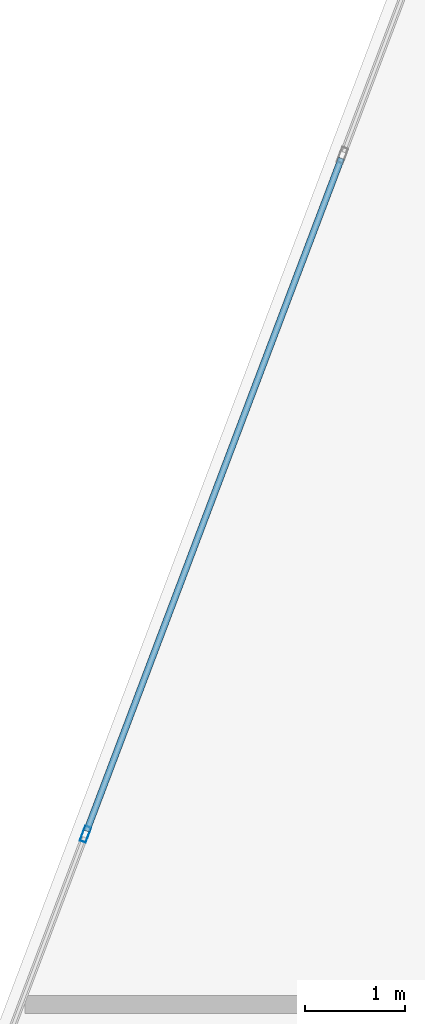
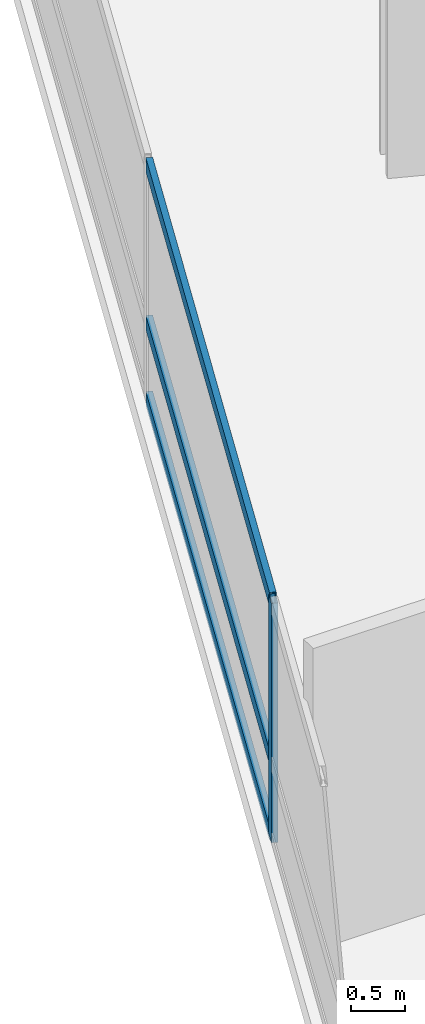
# One storey, part 4 of 24: 4 members, 1 element without a shape of its own.
"""IFC4 building model written with IfcOpenShell, lengths in metres."""

import ifcopenshell
import ifcopenshell.guid

model = None  # the IFC model being written
_history = None  # IfcOwnerHistory: only IFC2X3 demands one
_inside = {}  # id of a spatial element -> (the spatial element, [elements in it])
_under = {}  # id of a project, library or spatial element -> (it, [spatial elements below it])
_declared = {}  # id of a project -> (the project, [libraries it declares])
_typed = {}  # id of a type object -> (the type object, [elements of that type])
_made_of = {}  # id of a material, layer set ... -> (it, [elements and type objects made of it])


def new_model(schema):
    """Start an empty IFC model of exactly this schema.

    Asked for "IFC4X3", IfcOpenShell would pick the latest addendum, in which some entities
    have other attributes; the version numbers below select the first issue.
    IFC2X3 requires an IfcOwnerHistory on every rooted entity: one is made here for all.
    """
    global model, _history
    if schema == "IFC4X3":
        model = ifcopenshell.file(schema_version=(4, 3, 0, 0))
    else:
        model = ifcopenshell.file(schema=schema)
    _inside.clear()
    _under.clear()
    _declared.clear()
    _typed.clear()
    _made_of.clear()
    _history = None
    if model.schema == "IFC2X3":
        org = make("IfcOrganization", Name="unknown")
        user = make(
            "IfcPersonAndOrganization",
            ThePerson=make("IfcPerson", FamilyName="unknown"),
            TheOrganization=org,
        )
        app = make(
            "IfcApplication",
            ApplicationDeveloper=org,
            Version="unknown",
            ApplicationFullName="unknown",
            ApplicationIdentifier="unknown",
        )
        _history = make(
            "IfcOwnerHistory",
            OwningUser=user,
            OwningApplication=app,
            ChangeAction="ADDED",
            CreationDate=0,
        )
    return model


def make(cls, **values):
    """One entity of the class cls with the attributes given. An attribute that is None is left unset."""
    return model.create_entity(
        cls, **{name: value for name, value in values.items() if value is not None}
    )


def rooted(cls, **values):
    """An entity with a GlobalId (a new one), such as an element, a storey or a relation."""
    return make(cls, GlobalId=ifcopenshell.guid.new(), OwnerHistory=_history, **values)


def si_unit(unit_type, name, prefix=None):
    """IfcSIUnit, for example si_unit("LENGTHUNIT", "METRE", prefix="MILLI")."""
    return make("IfcSIUnit", UnitType=unit_type, Prefix=prefix, Name=name)


def assignment(units):
    """IfcUnitAssignment: the units of a project."""
    return None if units is None else make("IfcUnitAssignment", Units=units)


def point(xyz):
    """IfcCartesianPoint."""
    return None if xyz is None else make("IfcCartesianPoint", Coordinates=xyz)


def direction(xyz):
    """IfcDirection."""
    return None if xyz is None else make("IfcDirection", DirectionRatios=xyz)


def frame(location, z_axis=None, x_axis=None):
    """IfcAxis2Placement3D, a coordinate frame: its origin and axes. An axis left out is left unset."""
    return make(
        "IfcAxis2Placement3D",
        Location=point(location),
        Axis=direction(z_axis),
        RefDirection=direction(x_axis),
    )


def frame_2d(location, x_axis=None):
    """IfcAxis2Placement2D, a coordinate frame in the plane: its origin and x axis."""
    return make(
        "IfcAxis2Placement2D", Location=point(location), RefDirection=direction(x_axis)
    )


def origin():
    """The frame at (0, 0, 0) with its axes left unset."""
    return frame((0.0, 0.0, 0.0))


def origin_2d():
    """The frame at (0, 0) in the plane with its x axis left unset."""
    return frame_2d((0.0, 0.0))


def place(relative_to, where):
    """IfcLocalPlacement: puts the frame where relative to a parent placement (None: the world)."""
    return make(
        "IfcLocalPlacement", PlacementRelTo=relative_to, RelativePlacement=where
    )


def context(
    kind, dimensions, precision=None, world=None, true_north=None, identifier=None
):
    """IfcGeometricRepresentationContext, for example the 3D "Model" context."""
    return make(
        "IfcGeometricRepresentationContext",
        ContextIdentifier=identifier,
        ContextType=kind,
        CoordinateSpaceDimension=dimensions,
        Precision=precision,
        WorldCoordinateSystem=world,
        TrueNorth=true_north,
    )


def subcontext(parent, identifier, kind, view, scale=None):
    """IfcGeometricRepresentationSubContext, for example "Body" below "Model"."""
    return make(
        "IfcGeometricRepresentationSubContext",
        ContextIdentifier=identifier,
        ContextType=kind,
        ParentContext=parent,
        TargetScale=scale,
        TargetView=view,
    )


def project(units=None, contexts=None):
    """IfcProject with its units and contexts."""
    return rooted(
        "IfcProject",
        Name="project",
        RepresentationContexts=contexts,
        UnitsInContext=assignment(units),
    )


def spatial(cls, under=None, at=None, **own):
    """A site, building, storey or space (cls), placed at a placement, below another one or the project."""
    s = rooted(cls, ObjectPlacement=at, **own)
    if under is not None:
        _under.setdefault(under.id(), (under, []))[1].append(s)
    return s


def profile(cls, at=None, kind="AREA", **sizes):
    """A parametric profile (cls). Its sizes go by their IFC names, for example OverallWidth=200.0."""
    return make(cls, ProfileType=kind, Position=at, **sizes)


def hollow_rectangle(**sizes):
    """IfcRectangleHollowProfileDef."""
    return profile("IfcRectangleHollowProfileDef", **sizes)


def extrude(swept, where, along, depth):
    """IfcExtrudedAreaSolid: the profile swept, set in the frame where, extruded along a direction by depth."""
    return make(
        "IfcExtrudedAreaSolid",
        SweptArea=swept,
        Position=where,
        ExtrudedDirection=direction(along),
        Depth=depth,
    )


def shape(context_of_items, identifier, shape_type, items):
    """IfcShapeRepresentation: the items that make up one representation, for example the "Body"."""
    return make(
        "IfcShapeRepresentation",
        ContextOfItems=context_of_items,
        RepresentationIdentifier=identifier,
        RepresentationType=shape_type,
        Items=items,
    )


def material(Name=None, Category=None):
    """IfcMaterial."""
    return make("IfcMaterial", Name=Name, Category=Category)


def layer(
    of_material, thickness, ventilated=None, Name=None, Category=None, Priority=None
):
    """IfcMaterialLayer: one layer of a wall or slab, of a material (None: an air gap)."""
    return make(
        "IfcMaterialLayer",
        Material=of_material,
        LayerThickness=thickness,
        IsVentilated=ventilated,
        Name=Name,
        Category=Category,
        Priority=Priority,
    )


def layer_set(layers, Name=None):
    """IfcMaterialLayerSet."""
    return make("IfcMaterialLayerSet", MaterialLayers=layers, LayerSetName=Name)


def material_profile(
    of_material, cross_section, Name=None, Category=None, Priority=None
):
    """IfcMaterialProfile: a cross section and its material."""
    return make(
        "IfcMaterialProfile",
        Name=Name,
        Material=of_material,
        Profile=cross_section,
        Priority=Priority,
        Category=Category,
    )


def profile_set(profiles, Name=None, composite=None):
    """IfcMaterialProfileSet."""
    return make(
        "IfcMaterialProfileSet",
        Name=Name,
        MaterialProfiles=profiles,
        CompositeProfile=composite,
    )


def made_of(thing, what):
    """Note that an element or type object is made of a material, layer set ...; save() writes the relation."""
    if what is not None:
        _made_of.setdefault(what.id(), (what, []))[1].append(thing)
    return thing


def type_object(cls, material=None, **own):
    """A type object (cls), such as IfcWallType, which elements share."""
    return made_of(rooted(cls, **own), material)


def element(
    cls,
    number,
    at=None,
    inside=None,
    cuts=None,
    type_object=None,
    material=None,
    context=None,
    identifier="Body",
    shape_type=None,
    held_by="IfcProductDefinitionShape",
    body=None,
    shapes=None,
    **own,
):
    """One element of the class cls, such as IfcWall. Its Tag is "e" and its number.

    at: its placement. inside: the storey or other place that contains it. cuts: it is an
    opening in that element (IfcRelVoidsElement). A single representation is given by context,
    identifier, shape_type and body (its items); several are given by shapes. held_by: the class
    of the entity that holds the representations. save() writes the other relations.
    """
    e = rooted(cls, Tag="e%d" % number, ObjectPlacement=at, **own)
    if body is not None:
        shapes = [shape(context, identifier, shape_type, body)]
    if shapes is not None:
        e.Representation = make(held_by, Representations=shapes)
    if inside is not None:
        _inside.setdefault(inside.id(), (inside, []))[1].append(e)
    if cuts is not None:
        rooted(
            "IfcRelVoidsElement", RelatingBuildingElement=cuts, RelatedOpeningElement=e
        )
    if type_object is not None:
        _typed.setdefault(type_object.id(), (type_object, []))[1].append(e)
    return made_of(e, material)


def aggregate(whole, parts):
    """IfcRelAggregates: a whole, such as a stair, and the parts it consists of."""
    return rooted("IfcRelAggregates", RelatingObject=whole, RelatedObjects=parts)


def save(model, path):
    """Write the relations noted so far, then the file.

    IfcRelAggregates (storeys below a building ...), IfcRelContainedInSpatialStructure (elements
    in a storey), IfcRelDefinesByType, IfcRelAssociatesMaterial and IfcRelDeclares: one each for
    every whole, place, type object, material and project.
    """
    for whole, parts in _under.values():
        aggregate(whole, parts)
    for where, things in _inside.values():
        rooted(
            "IfcRelContainedInSpatialStructure",
            RelatedElements=things,
            RelatingStructure=where,
        )
    for kind, things in _typed.values():
        rooted("IfcRelDefinesByType", RelatedObjects=things, RelatingType=kind)
    for what, things in _made_of.values():
        rooted("IfcRelAssociatesMaterial", RelatedObjects=things, RelatingMaterial=what)
    for by, libraries in _declared.values():
        rooted("IfcRelDeclares", RelatingContext=by, RelatedDefinitions=libraries)
    model.write(path)


model = new_model("IFC4")

# Units and contexts
model_context = context("Model", 3, precision=1e-05, world=origin(), true_north=direction((0.0, 1.0)))
body_context = subcontext(model_context, "Body", "Model", "MODEL_VIEW")
ifc_project = project(units=[si_unit("LENGTHUNIT", "METRE"), si_unit("AREAUNIT", "SQUARE_METRE"), si_unit("VOLUMEUNIT", "CUBIC_METRE"), si_unit("PLANEANGLEUNIT", "RADIAN"), si_unit("MASSUNIT", "GRAM", prefix="KILO")], contexts=[model_context])

# Site, building, storey
site_placement = place(None, origin())
site = spatial("IfcSite", under=ifc_project, at=site_placement, CompositionType="ELEMENT")
building_placement = place(site_placement, origin())
building = spatial("IfcBuilding", under=site, at=building_placement, Name="Varnelok Gate Tower", CompositionType="ELEMENT")
storey_placement = place(building_placement, frame((0.0, 0.0, 87.300048828125)))
storey = spatial("IfcBuildingStorey", under=building, at=storey_placement, Name="L21", CompositionType="ELEMENT", Elevation=87.300048828125)

# Curtain wall, members
ifc_material = material(Name="Anodized Aluminum Alloy 6063-T6", Category="aluminium")
ifc_layer = layer(ifc_material, 0.179931640625)
ifc_layer_set = layer_set([ifc_layer], Name="Anodized Aluminum Alloy 6063-T6")
curtain_wall_type = type_object("IfcCurtainWallType", Name="CW3-HOTEL-VISION", PredefinedType="USERDEFINED", material=ifc_layer_set)
curtain_wall_placement = place(storey_placement, origin())
curtain_wall = element("IfcCurtainWall", 1, at=curtain_wall_placement, inside=storey, type_object=curtain_wall_type, Name="L21 West End Vision Curtain Wall", ObjectType="UNITISED CURTAIN WALL", PredefinedType="USERDEFINED")
ifc_material_profile_1 = material_profile(ifc_material, hollow_rectangle(XDim=0.06494140625, YDim=0.159912109375, WallThickness=0.00390625, at=origin_2d()), Name="ALU160X65X4")
ifc_profile_set_1 = profile_set([ifc_material_profile_1], Name="Anodized Aluminum Alloy 6063-T6")
member_type_1 = type_object("IfcMemberType", Name="CW-MULL-160", PredefinedType="MULLION", material=ifc_profile_set_1)
member_1_placement = place(storey_placement, frame((0.508544921875, 28.3359375, 0.0), z_axis=(0.0, 0.0, 1.0), x_axis=(-0.935221323688, 0.354063660545, 0.0)))
member_1 = element("IfcMember", 2, at=member_1_placement, type_object=member_type_1, Name="CW3 mullion 2", PredefinedType="MULLION", context=body_context, shape_type="SweptSolid", body=[
    extrude(hollow_rectangle(XDim=0.06494140625, YDim=0.159912109375, WallThickness=0.00390625, at=origin_2d()), origin(), (0.0, 0.0, 1.0), 2.72998046875),
])
ifc_material_profile_2 = material_profile(ifc_material, hollow_rectangle(XDim=0.06494140625, YDim=0.159912109375, WallThickness=0.00390625, at=origin_2d()), Name="ALU160X65X4")
ifc_profile_set_2 = profile_set([ifc_material_profile_2], Name="Anodized Aluminum Alloy 6063-T6")
member_type_2 = type_object("IfcMemberType", Name="CW-TRAN-160", PredefinedType="USERDEFINED", material=ifc_profile_set_2)
member_2_placement = place(storey_placement, frame((0.52001953125, 28.3662109375, 0.032470703125), z_axis=(0.354078724634, 0.935215620465, 0.0), x_axis=(-0.935215620465, 0.354078724634, 0.0)))
member_2 = element("IfcMember", 3, at=member_2_placement, type_object=member_type_2, Name="CW3 transom 2.1", ObjectType="TRANSOM", PredefinedType="USERDEFINED", context=body_context, shape_type="SweptSolid", body=[
    extrude(hollow_rectangle(XDim=0.06494140625, YDim=0.159912109375, WallThickness=0.00390625, at=origin_2d()), origin(), (0.0, 0.0, 1.0), 7.175048828125),
])
member_3_placement = place(storey_placement, frame((0.52001953125, 28.3662109375, 0.89990234375), z_axis=(0.354078724634, 0.935215620465, 0.0), x_axis=(-0.935215620465, 0.354078724634, 0.0)))
member_3 = element("IfcMember", 4, at=member_3_placement, type_object=member_type_2, Name="CW3 transom 2.2", ObjectType="TRANSOM", PredefinedType="USERDEFINED", context=body_context, shape_type="SweptSolid", body=[
    extrude(hollow_rectangle(XDim=0.06494140625, YDim=0.159912109375, WallThickness=0.00390625, at=origin_2d()), origin(), (0.0, 0.0, 1.0), 7.175048828125),
])
member_4_placement = place(storey_placement, frame((0.52001953125, 28.3662109375, 2.697509765625), z_axis=(0.354078724634, 0.935215620465, 0.0), x_axis=(-0.935215620465, 0.354078724634, 0.0)))
member_4 = element("IfcMember", 5, at=member_4_placement, type_object=member_type_2, Name="CW3 transom 2.3", ObjectType="TRANSOM", PredefinedType="USERDEFINED", context=body_context, shape_type="SweptSolid", body=[
    extrude(hollow_rectangle(XDim=0.06494140625, YDim=0.159912109375, WallThickness=0.00390625, at=origin_2d()), origin(), (0.0, 0.0, 1.0), 7.175048828125),
])
aggregate(curtain_wall, [member_1, member_2, member_3, member_4])

save(model, "model.ifc")
